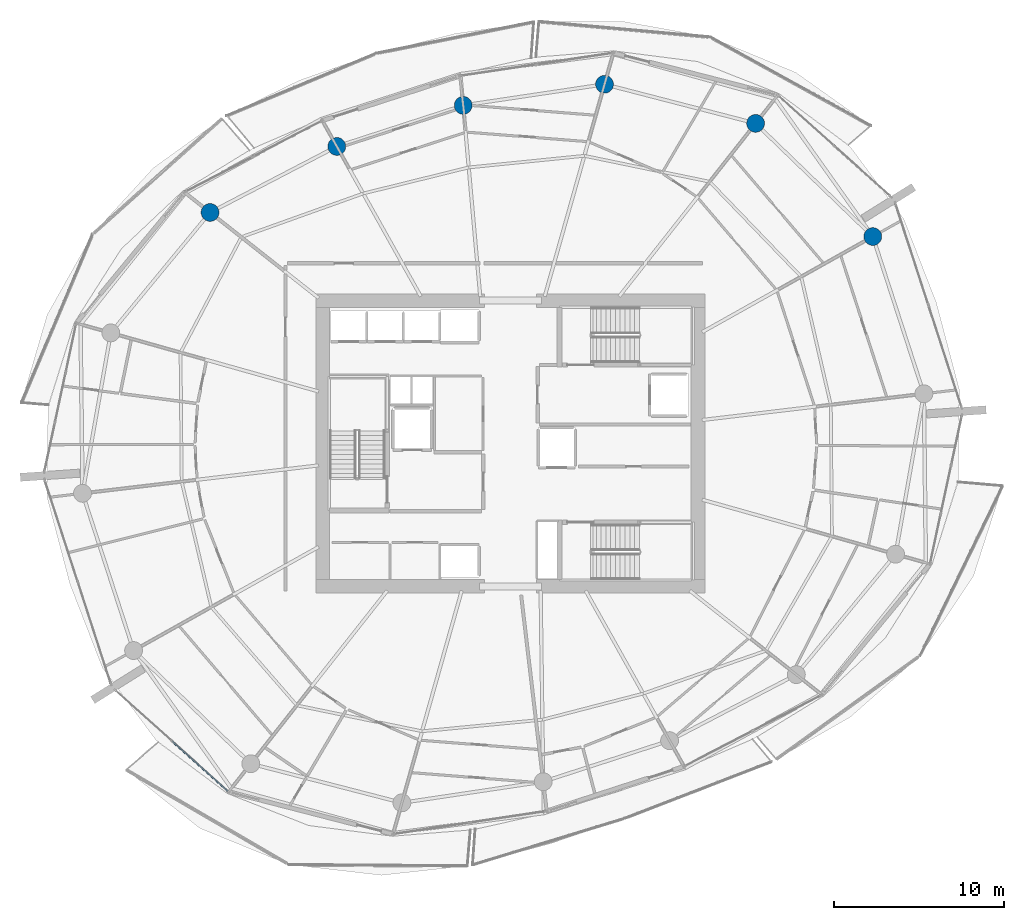
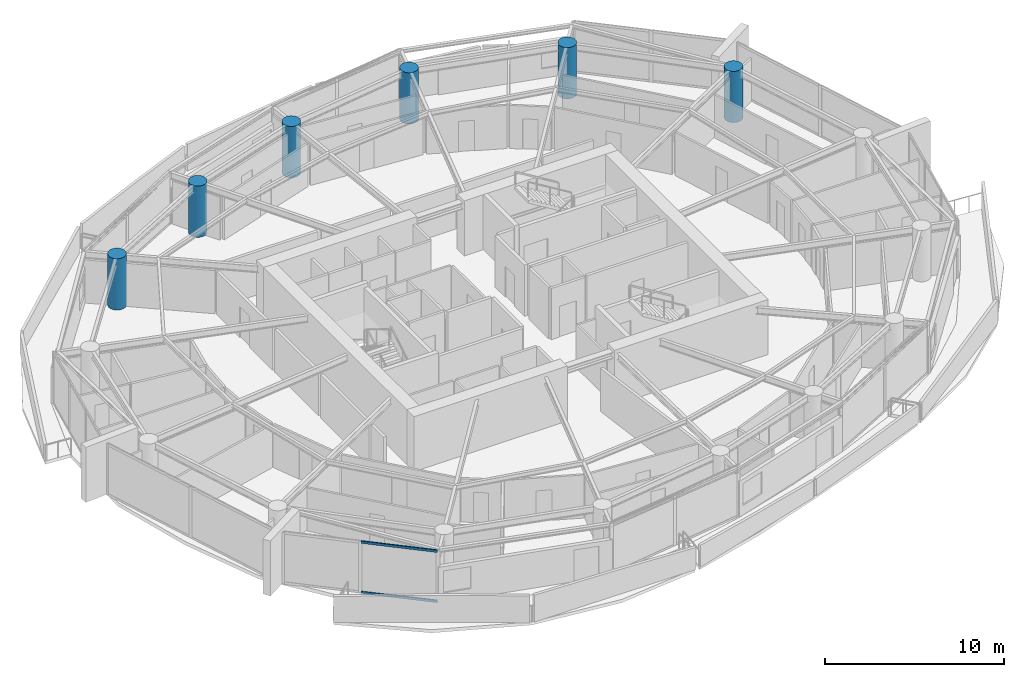
# One storey, part 4 of 20: 6 columns, 2 members, 1 element without a shape of its own.
"""IFC4 building model written with IfcOpenShell, lengths in metres."""

from ifc_helpers import new_model, si_unit, direction, frame, origin, origin_2d, place, context, subcontext, project, spatial, rectangle, circle, extrude, material, layer, layer_set, material_profile, profile_set, type_object, element, aggregate, save


model = new_model("IFC4")

# Units and contexts
model_context = context("Model", 3, precision=1e-05, world=origin(), true_north=direction((0.0, 1.0)))
body_context = subcontext(model_context, "Body", "Model", "MODEL_VIEW")
ifc_project = project(units=[si_unit("LENGTHUNIT", "METRE"), si_unit("AREAUNIT", "SQUARE_METRE"), si_unit("VOLUMEUNIT", "CUBIC_METRE"), si_unit("PLANEANGLEUNIT", "RADIAN"), si_unit("MASSUNIT", "GRAM", prefix="KILO")], contexts=[model_context])

# Site, building, storey
site_placement = place(None, origin())
site = spatial("IfcSite", under=ifc_project, at=site_placement, CompositionType="ELEMENT")
building_placement = place(site_placement, origin())
building = spatial("IfcBuilding", under=site, at=building_placement, Name="Kazma Halo Residences", CompositionType="ELEMENT")
storey_placement = place(building_placement, frame((0.0, 0.0, 150.300048828125)))
storey = spatial("IfcBuildingStorey", under=building, at=storey_placement, Name="L37", CompositionType="ELEMENT", Elevation=150.300048828125)

# Columns
ifc_material_1 = material(Name="Concrete C80/95", Category="concrete")
ifc_material_profile_1 = material_profile(ifc_material_1, circle(Radius=0.52490234375, at=origin_2d()), Name="CIRC1050")
ifc_profile_set_1 = profile_set([ifc_material_profile_1], Name="Concrete C80/95")
column_type = type_object("IfcColumnType", Name="COL-PERIM-1050", PredefinedType="COLUMN", material=ifc_profile_set_1)
for number, where, z_axis, x_axis, name in (
    (1, (69.730224609375, 54.16943359375, 0.0), (0.0, 0.0, 1.0), (1.0, 0.0, 0.0), "L37 perimeter ring column P01"),
    (2, (62.839599609375, 60.82373046875, 0.0), (0.0, 0.0, 1.0), (1.0, 0.0, 0.0), "L37 perimeter ring column P02"),
    (3, (53.95703125, 63.121826171875, 0.0), (0.0, 0.0, 1.0), (1.0, 0.0, 0.0), "L37 perimeter ring column P03"),
    (4, (45.64697265625, 61.881103515625, 0.0), (0.0, 0.0, 1.0), (1.0, 0.0, 0.0), "L37 perimeter ring column P04"),
    (5, (38.218017578125, 59.46728515625, 0.0), (0.0, 0.0, 1.0), (1.0, 0.0, 0.0), "L37 perimeter ring column P05"),
    (6, (30.765625, 55.58642578125, 0.0), (0.0, 0.0, 1.0), (1.0, 0.0, 0.0), "L37 perimeter ring column P06"),
):
    element("IfcColumn", number, at=place(storey_placement, frame(where, z_axis=z_axis, x_axis=x_axis)), inside=storey, type_object=column_type, Name=name, PredefinedType="COLUMN", context=body_context, shape_type="SweptSolid", body=[
        extrude(circle(Radius=0.52490234375, at=origin_2d()), origin(), (0.0, 0.0, 1.0), 3.5),
    ])

# Curtain wall, members
ifc_material_2 = material(Name="Aluminium AW-6063 T6 and Triple-Silver Low-E Glass", Category="aluminium")
ifc_layer = layer(ifc_material_2, 0.219970703125)
ifc_layer_set = layer_set([ifc_layer], Name="Aluminium AW-6063 T6 and Triple-Silver Low-E Glass")
curtain_wall_type = type_object("IfcCurtainWallType", Name="CW-SYS-4", PredefinedType="NOTDEFINED", material=ifc_layer_set)
curtain_wall_placement = place(storey_placement, origin())
curtain_wall = element("IfcCurtainWall", 7, at=curtain_wall_placement, inside=storey, type_object=curtain_wall_type, Name="L37 unitised curtain wall B09", PredefinedType="NOTDEFINED")
ifc_material_3 = material(Name="Aluminium AW-6063 T6", Category="aluminium")
ifc_material_profile_2 = material_profile(ifc_material_3, rectangle(XDim=0.074951171875, YDim=0.1650390625, at=origin_2d()), Name="CWT-75x165")
ifc_profile_set_2 = profile_set([ifc_material_profile_2], Name="Aluminium AW-6063 T6")
member_type = type_object("IfcMemberType", Name="CW-SYS-4-TRN", PredefinedType="USERDEFINED", material=ifc_profile_set_2)
member_1_placement = place(storey_placement, frame((28.552734375, 24.485107421875, 0.037353515625), z_axis=(0.744372794017, -0.667764287401, 0.0), x_axis=(0.667764287401, 0.744372794017, 0.0)))
member_1 = element("IfcMember", 8, at=member_1_placement, type_object=member_type, Name="CWS-4 transom 2.1", ObjectType="TRANSOM", PredefinedType="USERDEFINED", context=body_context, shape_type="SweptSolid", body=[
    extrude(rectangle(XDim=0.074951171875, YDim=0.1650390625, at=origin_2d()), origin(), (0.0, 0.0, 1.0), 4.36279296875),
])
member_2_placement = place(storey_placement, frame((28.552734375, 24.485107421875, 3.46240234375), z_axis=(0.744372794017, -0.667764287401, 0.0), x_axis=(0.667764287401, 0.744372794017, 0.0)))
member_2 = element("IfcMember", 9, at=member_2_placement, type_object=member_type, Name="CWS-4 transom 2.2", ObjectType="TRANSOM", PredefinedType="USERDEFINED", context=body_context, shape_type="SweptSolid", body=[
    extrude(rectangle(XDim=0.074951171875, YDim=0.1650390625, at=origin_2d()), origin(), (0.0, 0.0, 1.0), 4.36279296875),
])
aggregate(curtain_wall, [member_1, member_2])

save(model, "model.ifc")
